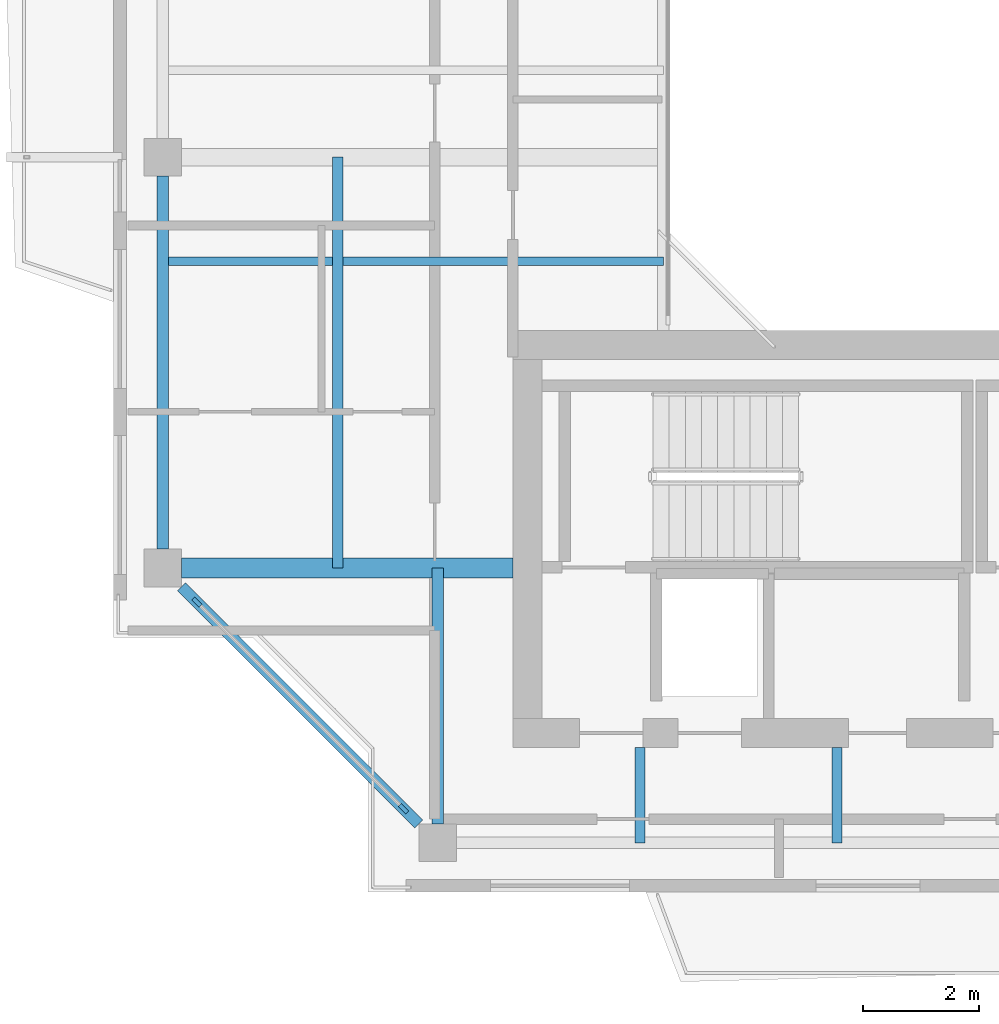
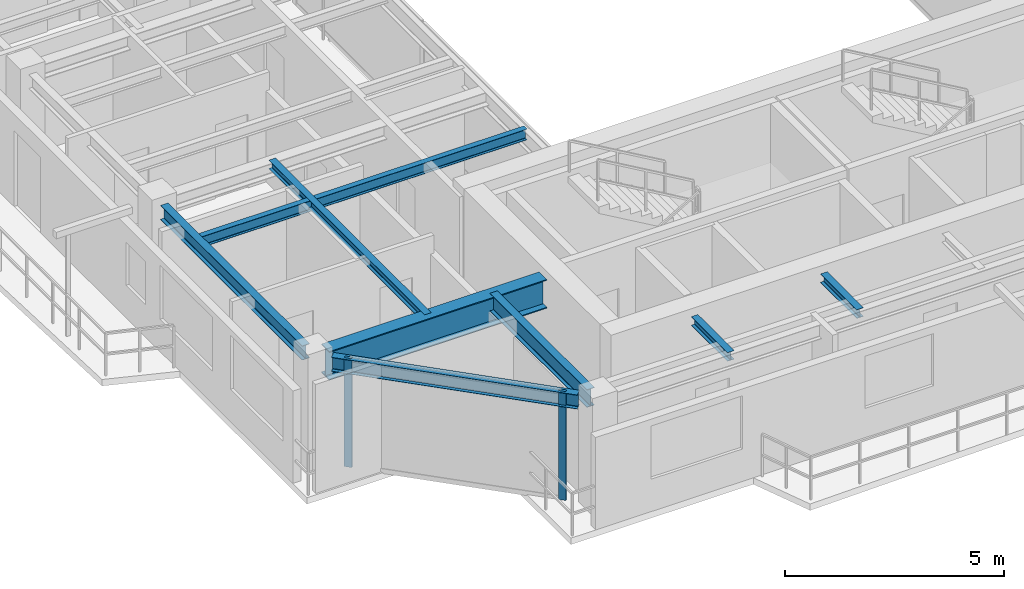
# One storey, part 2 of 14: 8 beams, 2 members, 1 element without a shape of its own.
"""IFC4 building model written with IfcOpenShell, lengths in metres."""

from ifc_helpers import new_model, si_unit, direction, frame, origin, origin_2d, place, context, subcontext, project, spatial, rectangle, i_section, extrude, source, transform, mapped, material, layer, layer_set, material_profile, profile_set, type_object, element, aggregate, save


model = new_model("IFC4")

# Units and contexts
model_context = context("Model", 3, precision=1e-05, world=origin(), true_north=direction((0.0, 1.0)))
body_context = subcontext(model_context, "Body", "Model", "MODEL_VIEW")
ifc_project = project(units=[si_unit("LENGTHUNIT", "METRE"), si_unit("AREAUNIT", "SQUARE_METRE"), si_unit("VOLUMEUNIT", "CUBIC_METRE"), si_unit("PLANEANGLEUNIT", "RADIAN"), si_unit("MASSUNIT", "GRAM", prefix="KILO"), si_unit("THERMODYNAMICTEMPERATUREUNIT", "KELVIN"), si_unit("POWERUNIT", "WATT")], contexts=[model_context])

# Site, building, storey
site_placement = place(None, origin())
site = spatial("IfcSite", under=ifc_project, at=site_placement, CompositionType="ELEMENT")
building_placement = place(site_placement, origin())
building = spatial("IfcBuilding", under=site, at=building_placement, Name="Qiaomeng Ring Towers", CompositionType="ELEMENT")
storey_placement = place(building_placement, frame((0.0, 0.0, 260.0)))
storey = spatial("IfcBuildingStorey", under=building, at=storey_placement, Name="L76", CompositionType="ELEMENT", Elevation=260.0)

# Beams
ifc_material_1 = material(Name="Steel Q355B", Category="steel")
ifc_material_profile_1 = material_profile(ifc_material_1, i_section(OverallWidth=0.198974609375, OverallDepth=0.39599609375, WebThickness=0.007080078125, FlangeThickness=0.010986328125, FilletRadius=0.01611328125, at=origin_2d()), Name="HN 396x199x7x11")
ifc_profile_set_1 = profile_set([ifc_material_profile_1], Name="Steel Q355B")
beam_type_1 = type_object("IfcBeamType", Name="STR-BM-HN396", PredefinedType="SPANDREL", material=ifc_profile_set_1)
shared_shape_1 = source(origin(), body_context, "Body", "SweptSolid", [
    extrude(i_section(OverallWidth=0.198974609375, OverallDepth=0.39599609375, WebThickness=0.007080078125, FlangeThickness=0.010986328125, FilletRadius=0.01611328125, at=origin_2d()), origin(), (0.0, 0.0, 1.0), 5.800048828125),
])
beam_1_placement = place(storey_placement, frame((4.474365234375, 12.57568359375, 2.83203125), z_axis=(0.707106781187, -0.707106781187, 0.0), x_axis=(0.707106781187, 0.707106781187, 0.0)))
element("IfcBeam", 1, at=beam_1_placement, inside=storey, type_object=beam_type_1, Name="L76 beam STR-SP-L76-T1-W1-S1", PredefinedType="SPANDREL", context=body_context, shape_type="MappedRepresentation", body=[
    mapped(shared_shape_1, transform((0.0, 0.0, 0.0), x_axis=(1.0, 0.0, 0.0), y_axis=(0.0, 1.0, 0.0), z_axis=(0.0, 0.0, 1.0), scale=1.0)),
])
shared_shape_2 = source(origin(), body_context, "Body", "SweptSolid", [
    extrude(i_section(OverallWidth=0.198974609375, OverallDepth=0.39599609375, WebThickness=0.007080078125, FlangeThickness=0.010986328125, FilletRadius=0.01611328125, at=origin_2d()), origin(), (0.0, 0.0, 1.0), 6.451904296875),
])
beam_2_placement = place(storey_placement, frame((4.14990234375, 19.676025390625, 2.83203125), z_axis=(0.0, -1.0, 0.0), x_axis=(1.0, 0.0, 0.0)))
element("IfcBeam", 2, at=beam_2_placement, inside=storey, type_object=beam_type_1, Name="L76 beam STR-SP-L76-T1-W2-W1", PredefinedType="SPANDREL", context=body_context, shape_type="MappedRepresentation", body=[
    mapped(shared_shape_2, transform((0.0, 0.0, 0.0), x_axis=(1.0, 0.0, 0.0), y_axis=(0.0, 1.0, 0.0), z_axis=(0.0, 0.0, 1.0), scale=1.0)),
])
ifc_material_2 = material(Name="Steel Q390GJC", Category="steel")
ifc_material_profile_2 = material_profile(ifc_material_2, i_section(OverallWidth=0.35009765625, OverallDepth=0.800048828125, WebThickness=0.01611328125, FlangeThickness=0.028076171875, at=origin_2d()), Name="WH 800x350x16x28")
ifc_profile_set_2 = profile_set([ifc_material_profile_2], Name="Steel Q390GJC")
beam_type_2 = type_object("IfcBeamType", Name="STR-BM-WH800", PredefinedType="BEAM", material=ifc_profile_set_2)
shared_shape_3 = source(origin(), body_context, "Body", "SweptSolid", [
    extrude(i_section(OverallWidth=0.35009765625, OverallDepth=0.800048828125, WebThickness=0.01611328125, FlangeThickness=0.028076171875, at=origin_2d()), origin(), (0.0, 0.0, 1.0), 5.725830078125),
])
beam_3_placement = place(storey_placement, frame((4.47412109375, 12.89990234375, 2.6298828125), z_axis=(1.0, 0.0, 0.0), x_axis=(0.0, 1.0, 0.0)))
element("IfcBeam", 3, at=beam_3_placement, inside=storey, type_object=beam_type_2, Name="L76 beam STR-BM-L76-T1-RAD-W1", PredefinedType="BEAM", context=body_context, shape_type="MappedRepresentation", body=[
    mapped(shared_shape_3, transform((0.0, 0.0, 0.0), x_axis=(1.0, 0.0, 0.0), y_axis=(0.0, 1.0, 0.0), z_axis=(0.0, 0.0, 1.0), scale=1.0)),
])
ifc_material_profile_3 = material_profile(ifc_material_1, i_section(OverallWidth=0.198974609375, OverallDepth=0.49609375, WebThickness=0.009033203125, FlangeThickness=0.013916015625, FilletRadius=0.01806640625, at=origin_2d()), Name="HN 496x199x9x14")
ifc_profile_set_3 = profile_set([ifc_material_profile_3], Name="Steel Q355B")
beam_type_3 = type_object("IfcBeamType", Name="STR-BM-HN496", PredefinedType="BEAM", material=ifc_profile_set_3)
shared_shape_4 = source(origin(), body_context, "Body", "SweptSolid", [
    extrude(i_section(OverallWidth=0.198974609375, OverallDepth=0.49609375, WebThickness=0.009033203125, FlangeThickness=0.013916015625, FilletRadius=0.01806640625, at=origin_2d()), origin(), (0.0, 0.0, 1.0), 4.42578125),
])
beam_4_placement = place(storey_placement, frame((8.89990234375, 8.47412109375, 2.781982421875), z_axis=(0.0, 1.0, 0.0), x_axis=(-1.0, 0.0, 0.0)))
element("IfcBeam", 4, at=beam_4_placement, inside=storey, type_object=beam_type_3, Name="L76 beam STR-BM-L76-T1-RAD-S1", PredefinedType="BEAM", context=body_context, shape_type="MappedRepresentation", body=[
    mapped(shared_shape_4, transform((0.0, 0.0, 0.0), x_axis=(1.0, 0.0, 0.0), y_axis=(0.0, 1.0, 0.0), z_axis=(0.0, 0.0, 1.0), scale=1.0)),
])
ifc_material_profile_4 = material_profile(ifc_material_1, i_section(OverallWidth=0.175048828125, OverallDepth=0.243896484375, WebThickness=0.007080078125, FlangeThickness=0.010986328125, FilletRadius=0.01611328125, at=origin_2d()), Name="HM 244x175x7x11")
ifc_profile_set_4 = profile_set([ifc_material_profile_4], Name="Steel Q355B")
beam_type_4 = type_object("IfcBeamType", Name="STR-BM-HM244", PredefinedType="JOIST", material=ifc_profile_set_4)
shared_shape_5 = source(origin(), body_context, "Body", "SweptSolid", [
    extrude(i_section(OverallWidth=0.175048828125, OverallDepth=0.243896484375, WebThickness=0.007080078125, FlangeThickness=0.010986328125, FilletRadius=0.01611328125, at=origin_2d()), origin(), (0.0, 0.0, 1.0), 1.650146484375),
])
for number, where, z_axis, x_axis, name in (
    (5, (12.39990234375, 8.14990234375, 2.907958984375), (0.0, 1.0, 0.0), (-1.0, 0.0, 0.0), "L76 beam STR-JST-L76-T1S-1"),
    (6, (15.800048828125, 8.14990234375, 2.907958984375), (0.0, 1.0, 0.0), (-1.0, 0.0, 0.0), "L76 beam STR-JST-L76-T1S-2"),
):
    element("IfcBeam", number, at=place(storey_placement, frame(where, z_axis=z_axis, x_axis=x_axis)), inside=storey, type_object=beam_type_4, Name=name, PredefinedType="JOIST", context=body_context, shape_type="MappedRepresentation", body=[
        mapped(shared_shape_5, transform((0.0, 0.0, 0.0), x_axis=(1.0, 0.0, 0.0), y_axis=(0.0, 1.0, 0.0), z_axis=(0.0, 0.0, 1.0), scale=1.0)),
    ])
ifc_material_profile_5 = material_profile(ifc_material_1, i_section(OverallWidth=0.14990234375, OverallDepth=0.300048828125, WebThickness=0.006591796875, FlangeThickness=0.009033203125, FilletRadius=0.012939453125, at=origin_2d()), Name="HN 300x150x6.5x9")
ifc_profile_set_5 = profile_set([ifc_material_profile_5], Name="Steel Q355B")
beam_type_5 = type_object("IfcBeamType", Name="STR-BM-HN300", PredefinedType="JOIST", material=ifc_profile_set_5)
shared_shape_6 = source(origin(), body_context, "Body", "SweptSolid", [
    extrude(i_section(OverallWidth=0.14990234375, OverallDepth=0.300048828125, WebThickness=0.006591796875, FlangeThickness=0.009033203125, FilletRadius=0.012939453125, at=origin_2d()), origin(), (0.0, 0.0, 1.0), 8.650146484375),
])
beam_5_placement = place(storey_placement, frame((4.14990234375, 18.199951171875, 2.8798828125), z_axis=(1.0, 0.0, 0.0), x_axis=(0.0, 1.0, 0.0)))
element("IfcBeam", 7, at=beam_5_placement, inside=storey, type_object=beam_type_5, Name="L76 beam STR-JST-L76-T1W-1", PredefinedType="JOIST", context=body_context, shape_type="MappedRepresentation", body=[
    mapped(shared_shape_6, transform((0.0, 0.0, 0.0), x_axis=(1.0, 0.0, 0.0), y_axis=(0.0, 1.0, 0.0), z_axis=(0.0, 0.0, 1.0), scale=1.0)),
])
shared_shape_7 = source(origin(), body_context, "Body", "SweptSolid", [
    extrude(i_section(OverallWidth=0.175048828125, OverallDepth=0.243896484375, WebThickness=0.007080078125, FlangeThickness=0.010986328125, FilletRadius=0.01611328125, at=origin_2d()), origin(), (0.0, 0.0, 1.0), 7.10009765625),
])
beam_6_placement = place(storey_placement, frame((7.175048828125, 12.89990234375, 2.907958984375), z_axis=(0.0, 1.0, 0.0), x_axis=(-1.0, 0.0, 0.0)))
element("IfcBeam", 8, at=beam_6_placement, inside=storey, type_object=beam_type_4, Name="L76 beam STR-JST-L76-T1C-WS", PredefinedType="JOIST", context=body_context, shape_type="MappedRepresentation", body=[
    mapped(shared_shape_7, transform((0.0, 0.0, 0.0), x_axis=(1.0, 0.0, 0.0), y_axis=(0.0, 1.0, 0.0), z_axis=(0.0, 0.0, 1.0), scale=1.0)),
])

# Curtain wall, members
ifc_material_3 = material(Name="Fluorocarbon dark-grey aluminium", Category="aluminium")
ifc_layer = layer(ifc_material_3, 0.14990234375, Name="Fluorocarbon dark-grey aluminium")
ifc_layer_set = layer_set([ifc_layer], Name="Fluorocarbon dark-grey aluminium")
curtain_wall_type = type_object("IfcCurtainWallType", Name="ARC-CW-3", PredefinedType="NOTDEFINED", material=ifc_layer_set)
curtain_wall_placement = place(storey_placement, origin())
curtain_wall = element("IfcCurtainWall", 9, at=curtain_wall_placement, inside=storey, type_object=curtain_wall_type, Name="L76 Curtain Wall CW3", PredefinedType="NOTDEFINED")
ifc_material_profile_6 = material_profile(ifc_material_3, rectangle(XDim=0.070068359375, YDim=0.179931640625, at=origin_2d()), Name="ALU MULL 70x180")
ifc_profile_set_6 = profile_set([ifc_material_profile_6], Name="Fluorocarbon dark-grey aluminium")
member_type = type_object("IfcMemberType", Name="ARC-CWM-160", PredefinedType="MULLION", material=ifc_profile_set_6)
shared_shape_8 = source(origin(), body_context, "Body", "SweptSolid", [
    extrude(rectangle(XDim=0.070068359375, YDim=0.179931640625, at=origin_2d()), origin(), (0.0, 0.0, 1.0), 3.030029296875),
])
member_1_placement = place(storey_placement, frame((4.73974609375, 12.310302734375, 0.0), z_axis=(0.0, 0.0, 1.0), x_axis=(0.707106781187, 0.707106781187, 0.0)))
member_1 = element("IfcMember", 10, at=member_1_placement, type_object=member_type, Name="CW3 mullion 1", PredefinedType="MULLION", context=body_context, shape_type="MappedRepresentation", body=[
    mapped(shared_shape_8, transform((0.0, 0.0, 0.0), x_axis=(1.0, 0.0, 0.0), y_axis=(0.0, 1.0, 0.0), z_axis=(0.0, 0.0, 1.0), scale=1.0)),
])
member_2_placement = place(storey_placement, frame((8.310302734375, 8.73974609375, 0.0), z_axis=(0.0, 0.0, 1.0), x_axis=(0.707106781187, 0.707106781187, 0.0)))
member_2 = element("IfcMember", 11, at=member_2_placement, type_object=member_type, Name="CW3 mullion 2", PredefinedType="MULLION", context=body_context, shape_type="MappedRepresentation", body=[
    mapped(shared_shape_8, transform((0.0, 0.0, 0.0), x_axis=(1.0, 0.0, 0.0), y_axis=(0.0, 1.0, 0.0), z_axis=(0.0, 0.0, 1.0), scale=1.0)),
])
aggregate(curtain_wall, [member_1, member_2])

save(model, "model.ifc")
